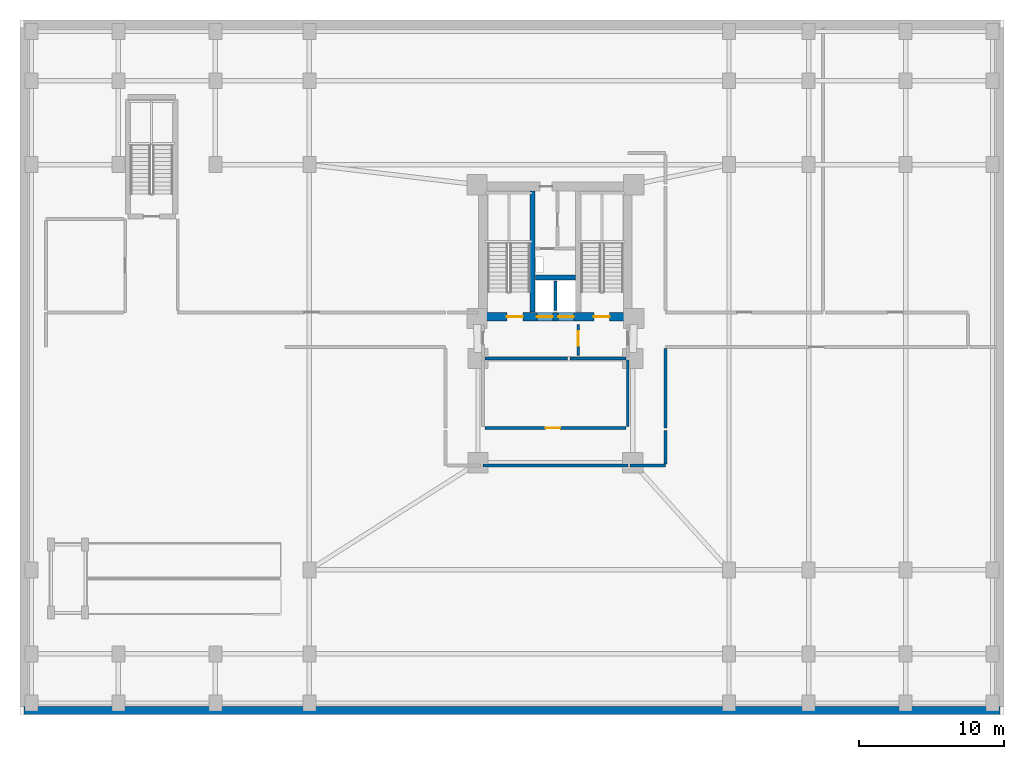
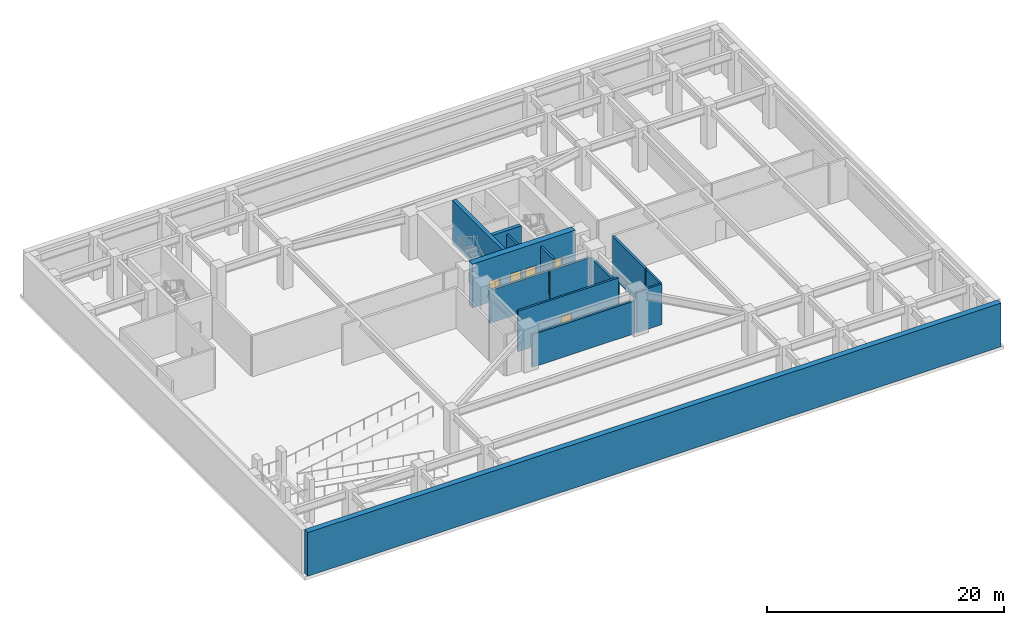
# One storey, part 4 of 8: 14 walls, 6 doors, 6 openings.
"""IFC4 building model written with IfcOpenShell, lengths in metres."""

from ifc_helpers import new_model, si_unit, direction, frame, frame_2d, origin, place, context, subcontext, project, spatial, rectangle, extrude, material, layer, layer_set, type_object, element, fill, save


model = new_model("IFC4")

# Units and contexts
model_context = context("Model", 3, precision=1e-05, world=origin(), true_north=direction((0.0, 1.0)))
body_context = subcontext(model_context, "Body", "Model", "MODEL_VIEW")
ifc_project = project(units=[si_unit("LENGTHUNIT", "METRE"), si_unit("AREAUNIT", "SQUARE_METRE"), si_unit("VOLUMEUNIT", "CUBIC_METRE"), si_unit("PLANEANGLEUNIT", "RADIAN"), si_unit("MASSUNIT", "GRAM", prefix="KILO")], contexts=[model_context])

# Site, building, storey
site_placement = place(None, origin())
site = spatial("IfcSite", under=ifc_project, at=site_placement, CompositionType="ELEMENT")
building_placement = place(site_placement, origin())
building = spatial("IfcBuilding", under=site, at=building_placement, Name="Varnakorn Sky Granary", CompositionType="ELEMENT")
storey_placement = place(building_placement, frame((0.0, 0.0, -9.0)))
storey = spatial("IfcBuildingStorey", under=building, at=storey_placement, Name="B02", CompositionType="ELEMENT", Elevation=-9.0)

# Walls
ifc_material_1 = material(Name="Concrete C50/60", Category="concrete")
ifc_layer_1 = layer(ifc_material_1, 0.35009765625, Name="Concrete C50/60")
ifc_layer_set_1 = layer_set([ifc_layer_1], Name="Concrete C50/60")
wall_type_1 = type_object("IfcWallType", Name="WT-CW-INT-350", PredefinedType="SHEAR", material=ifc_layer_set_1)
wall_1_placement = place(storey_placement, frame((1.419921875, 3.81005859375, 0.0), z_axis=(0.0, 0.0, 1.0), x_axis=(0.0, 1.0, 0.0)))
element("IfcWall", 1, at=wall_1_placement, inside=storey, type_object=wall_type_1, Name="Stair ST-1 Core Wall B02", PredefinedType="SHEAR", context=body_context, shape_type="SweptSolid", body=[
    extrude(rectangle(XDim=8.3798828125, YDim=0.35009765625, at=frame_2d((4.18994140625, 0.0))), origin(), (0.0, 0.0, 1.0), 4.491943359375),
])
wall_2_placement = place(storey_placement, frame((1.610107421875, 6.199951171875, 0.0), z_axis=(0.0, 0.0, 1.0), x_axis=(1.0, 0.0, 0.0)))
element("IfcWall", 2, at=wall_2_placement, inside=storey, type_object=wall_type_1, Name="Core Lift Shaft Cross Wall B02", PredefinedType="SHEAR", context=body_context, shape_type="SweptSolid", body=[
    extrude(rectangle(XDim=2.77978515625, YDim=0.35009765625, at=frame_2d((1.389892578125, 0.0))), origin(), (0.0, 0.0, 1.0), 4.491943359375),
])

# Wall, openings, doors
ifc_material_2 = material(Name="Concrete C60/75", Category="concrete")
ifc_layer_2 = layer(ifc_material_2, 0.60009765625, Name="Concrete C60/75")
ifc_layer_set_2 = layer_set([ifc_layer_2], Name="Concrete C60/75")
wall_type_2 = type_object("IfcWallType", Name="WT-CW-SHEAR-600", PredefinedType="SHEAR", material=ifc_layer_set_2)
wall_3_placement = place(storey_placement, frame((-2.0, 3.5, 0.0), z_axis=(0.0, 0.0, 1.0), x_axis=(1.0, 0.0, 0.0)))
wall_3 = element("IfcWall", 3, at=wall_3_placement, inside=storey, type_object=wall_type_2, Name="Core South Shear Wall B02", PredefinedType="SHEAR", context=body_context, shape_type="SweptSolid", body=[
    extrude(rectangle(XDim=10.0, YDim=0.60009765625, at=frame_2d((5.0, 0.0))), origin(), (0.0, 0.0, 1.0), 4.491943359375),
])
opening_1_placement = place(wall_3_placement, frame((1.64990234375, 0.0, 0.0)))
opening_1 = element("IfcOpeningElement", 4, at=opening_1_placement, cuts=wall_3, Name="Opening FD-90", PredefinedType="OPENING", context=body_context, shape_type="SweptSolid", body=[
    extrude(rectangle(XDim=1.10009765625, YDim=2.14990234375, at=frame_2d((0.550048828125, 1.074951171875))), frame((0.0, 0.31005859375, 0.0), z_axis=(0.0, -1.0, 0.0), x_axis=(1.0, 0.0, 0.0)), (0.0, 0.0, 1.0), 0.6201171875),
])
opening_2_placement = place(wall_3_placement, frame((7.64990234375, 0.0, 0.0)))
opening_2 = element("IfcOpeningElement", 5, at=opening_2_placement, cuts=wall_3, Name="Opening FD-90", PredefinedType="OPENING", context=body_context, shape_type="SweptSolid", body=[
    extrude(rectangle(XDim=1.10009765625, YDim=2.14990234375, at=frame_2d((0.550048828125, 1.074951171875))), frame((0.0, 0.31005859375, 0.0), z_axis=(0.0, -1.0, 0.0), x_axis=(1.0, 0.0, 0.0)), (0.0, 0.0, 1.0), 0.6201171875),
])
opening_3_placement = place(wall_3_placement, frame((3.719970703125, 0.0, 0.0)))
opening_3 = element("IfcOpeningElement", 6, at=opening_3_placement, cuts=wall_3, Name="Opening LD-01", PredefinedType="OPENING", context=body_context, shape_type="SweptSolid", body=[
    extrude(rectangle(XDim=1.10009765625, YDim=2.199951171875, at=frame_2d((0.550048828125, 1.10009765625))), frame((0.0, 0.31005859375, 0.0), z_axis=(0.0, -1.0, 0.0), x_axis=(1.0, 0.0, 0.0)), (0.0, 0.0, 1.0), 0.6201171875),
])
opening_4_placement = place(wall_3_placement, frame((5.179931640625, 0.0, 0.0)))
opening_4 = element("IfcOpeningElement", 7, at=opening_4_placement, cuts=wall_3, Name="Opening LD-01", PredefinedType="OPENING", context=body_context, shape_type="SweptSolid", body=[
    extrude(rectangle(XDim=1.10009765625, YDim=2.199951171875, at=frame_2d((0.550048828125, 1.10009765625))), frame((0.0, 0.31005859375, 0.0), z_axis=(0.0, -1.0, 0.0), x_axis=(1.0, 0.0, 0.0)), (0.0, 0.0, 1.0), 0.6201171875),
])
ifc_material_3 = material(Name="Brushed Bronze Stainless Steel", Category="steel")
door_type_1 = type_object("IfcDoorType", Name="DR-LD-1100", OperationType="DOUBLE_DOOR_SLIDING", PredefinedType="DOOR", material=ifc_material_3)
door_1_placement = place(opening_3_placement, origin())
door_1 = element("IfcDoor", 8, at=door_1_placement, inside=storey, type_object=door_type_1, Name="Firefighting Lift FFL-1 Landing Door B02", OperationType="DOUBLE_DOOR_SLIDING", OverallHeight=2.199951171875, OverallWidth=1.10009765625, PredefinedType="DOOR", context=body_context, shape_type="SweptSolid", body=[
    extrude(rectangle(XDim=1.10009765625, YDim=2.199951171875, at=frame_2d((0.550048828125, 1.10009765625))), frame((0.0, 0.02490234375, 0.0), z_axis=(0.0, -1.0, 0.0), x_axis=(1.0, 0.0, 0.0)), (0.0, 0.0, 1.0), 0.050048828125),
])
fill(opening_3, door_1)
door_2_placement = place(opening_4_placement, origin())
door_2 = element("IfcDoor", 9, at=door_2_placement, inside=storey, type_object=door_type_1, Name="Firefighting Lift FFL-2 Landing Door B02", OperationType="DOUBLE_DOOR_SLIDING", OverallHeight=2.199951171875, OverallWidth=1.10009765625, PredefinedType="DOOR", context=body_context, shape_type="SweptSolid", body=[
    extrude(rectangle(XDim=1.10009765625, YDim=2.199951171875, at=frame_2d((0.550048828125, 1.10009765625))), frame((0.0, 0.02490234375, 0.0), z_axis=(0.0, -1.0, 0.0), x_axis=(1.0, 0.0, 0.0)), (0.0, 0.0, 1.0), 0.050048828125),
])
fill(opening_4, door_2)
ifc_material_4 = material(Name="Galvanised Painted Steel Leaf", Category="steel")
door_type_2 = type_object("IfcDoorType", Name="DR-STAIR-1100", OperationType="NOTDEFINED", PredefinedType="DOOR", material=ifc_material_4)
door_3_placement = place(opening_1_placement, origin())
door_3 = element("IfcDoor", 10, at=door_3_placement, inside=storey, type_object=door_type_2, Name="Stair ST-1 Protected Fire Door B02", OperationType="SINGLE_SWING_LEFT", OverallHeight=2.14990234375, OverallWidth=1.10009765625, PredefinedType="DOOR", context=body_context, shape_type="SweptSolid", body=[
    extrude(rectangle(XDim=1.10009765625, YDim=2.14990234375, at=frame_2d((0.550048828125, 1.074951171875))), frame((0.0, 0.02490234375, 0.0), z_axis=(0.0, -1.0, 0.0), x_axis=(1.0, 0.0, 0.0)), (0.0, 0.0, 1.0), 0.050048828125),
])
fill(opening_1, door_3)
door_4_placement = place(opening_2_placement, origin())
door_4 = element("IfcDoor", 11, at=door_4_placement, inside=storey, type_object=door_type_2, Name="Stair ST-2 Protected Fire Door B02", OperationType="SINGLE_SWING_RIGHT", OverallHeight=2.14990234375, OverallWidth=1.10009765625, PredefinedType="DOOR", context=body_context, shape_type="SweptSolid", body=[
    extrude(rectangle(XDim=1.10009765625, YDim=2.14990234375, at=frame_2d((0.550048828125, 1.074951171875))), frame((0.0, 0.02490234375, 0.0), z_axis=(0.0, -1.0, 0.0), x_axis=(1.0, 0.0, 0.0)), (0.0, 0.0, 1.0), 0.050048828125),
])
fill(opening_2, door_4)

# Wall, opening, door
ifc_material_5 = material(Name="Autoclaved Aerated Concrete Blockwork", Category="masonry")
ifc_layer_3 = layer(ifc_material_5, 0.199951171875, Name="Autoclaved Aerated Concrete Blockwork")
ifc_layer_set_3 = layer_set([ifc_layer_3], Name="Autoclaved Aerated Concrete Blockwork")
wall_type_3 = type_object("IfcWallType", Name="WT-FIRE-200", PredefinedType="MOVABLE", material=ifc_layer_set_3)
wall_4_placement = place(storey_placement, frame((4.580078125, 0.830078125, 0.0), z_axis=(0.0, 0.0, 1.0), x_axis=(0.0, 1.0, 0.0)))
wall_4 = element("IfcWall", 12, at=wall_4_placement, inside=storey, type_object=wall_type_3, Name="Interior Partition Wall B02-005", PredefinedType="MOVABLE", context=body_context, shape_type="SweptSolid", body=[
    extrude(rectangle(XDim=2.139892578125, YDim=0.199951171875, at=frame_2d((1.06982421875, 0.0))), origin(), (0.0, 0.0, 1.0), 4.179931640625),
])
opening_5_placement = place(wall_4_placement, frame((0.659912109375, 0.0, 0.0)))
opening_5 = element("IfcOpeningElement", 13, at=opening_5_placement, cuts=wall_4, Name="Opening FD-60", PredefinedType="OPENING", context=body_context, shape_type="SweptSolid", body=[
    extrude(rectangle(XDim=1.0, YDim=2.10009765625, at=frame_2d((0.5, 1.050048828125))), frame((0.0, 0.10986328125, 0.0), z_axis=(0.0, -1.0, 0.0), x_axis=(1.0, 0.0, 0.0)), (0.0, 0.0, 1.0), 0.219970703125),
])
ifc_material_6 = material(Name="Acoustic Timber Fire Leaf", Category="wood")
door_type_3 = type_object("IfcDoorType", Name="DR-FD60-1000", OperationType="NOTDEFINED", PredefinedType="DOOR", material=ifc_material_6)
door_5_placement = place(opening_5_placement, origin())
door_5 = element("IfcDoor", 14, at=door_5_placement, inside=storey, type_object=door_type_3, Name="Interior Door B02-005-1", OperationType="SINGLE_SWING_LEFT", OverallHeight=2.10009765625, OverallWidth=1.0, PredefinedType="DOOR", context=body_context, shape_type="SweptSolid", body=[
    extrude(rectangle(XDim=1.0, YDim=2.10009765625, at=frame_2d((0.5, 1.050048828125))), frame((0.0, 0.02490234375, 0.0), z_axis=(0.0, -1.0, 0.0), x_axis=(1.0, 0.0, 0.0)), (0.0, 0.0, 1.0), 0.050048828125),
])
fill(opening_5, door_5)

wall_5_placement = place(storey_placement, frame((-1.8798828125, -4.199951171875, 0.0), z_axis=(0.0, 0.0, 1.0), x_axis=(1.0, 0.0, 0.0)))
wall_5 = element("IfcWall", 15, at=wall_5_placement, inside=storey, type_object=wall_type_3, Name="Interior Partition Wall B02-008", PredefinedType="MOVABLE", context=body_context, shape_type="SweptSolid", body=[
    extrude(rectangle(XDim=9.759765625, YDim=0.199951171875, at=frame_2d((4.8798828125, 0.0))), origin(), (0.0, 0.0, 1.0), 4.179931640625),
])
opening_6_placement = place(wall_5_placement, frame((4.199951171875, 0.0, 0.0)))
opening_6 = element("IfcOpeningElement", 16, at=opening_6_placement, cuts=wall_5, Name="Opening FD-60", PredefinedType="OPENING", context=body_context, shape_type="SweptSolid", body=[
    extrude(rectangle(XDim=1.0, YDim=2.10009765625, at=frame_2d((0.5, 1.050048828125))), frame((0.0, 0.10986328125, 0.0), z_axis=(0.0, -1.0, 0.0), x_axis=(1.0, 0.0, 0.0)), (0.0, 0.0, 1.0), 0.219970703125),
])
door_6_placement = place(opening_6_placement, origin())
door_6 = element("IfcDoor", 17, at=door_6_placement, inside=storey, type_object=door_type_3, Name="Interior Door B02-008-1", OperationType="SINGLE_SWING_RIGHT", OverallHeight=2.10009765625, OverallWidth=1.0, PredefinedType="DOOR", context=body_context, shape_type="SweptSolid", body=[
    extrude(rectangle(XDim=1.0, YDim=2.10009765625, at=frame_2d((0.5, 1.050048828125))), frame((0.0, 0.02490234375, 0.0), z_axis=(0.0, -1.0, 0.0), x_axis=(1.0, 0.0, 0.0)), (0.0, 0.0, 1.0), 0.050048828125),
])
fill(opening_6, door_6)

# Walls
wall_6_placement = place(storey_placement, frame((-1.8798828125, 0.60009765625, 0.0), z_axis=(0.0, 0.0, 1.0), x_axis=(1.0, 0.0, 0.0)))
element("IfcWall", 18, at=wall_6_placement, inside=storey, type_object=wall_type_3, Name="Interior Partition Wall B02-014", PredefinedType="MOVABLE", context=body_context, shape_type="SweptSolid", body=[
    extrude(rectangle(XDim=5.719970703125, YDim=0.199951171875, at=frame_2d((2.85986328125, 0.0))), origin(), (0.0, 0.0, 1.0), 3.362060546875),
])
wall_7_placement = place(storey_placement, frame((8.0, -4.090087890625, 0.0), z_axis=(0.0, 0.0, 1.0), x_axis=(0.0, 1.0, 0.0)))
element("IfcWall", 19, at=wall_7_placement, inside=storey, type_object=wall_type_3, Name="Interior Partition Wall B02-016", PredefinedType="MOVABLE", context=body_context, shape_type="SweptSolid", body=[
    extrude(rectangle(XDim=4.590087890625, YDim=0.199951171875, at=frame_2d((2.294921875, 0.0))), origin(), (0.0, 0.0, 1.0), 3.362060546875),
])
wall_8_placement = place(storey_placement, frame((-2.0, -6.800048828125, 0.0), z_axis=(0.0, 0.0, 1.0), x_axis=(1.0, 0.0, 0.0)))
element("IfcWall", 20, at=wall_8_placement, inside=storey, type_object=wall_type_3, Name="Interior Partition Wall B02-018", PredefinedType="MOVABLE", context=body_context, shape_type="SweptSolid", body=[
    extrude(rectangle(XDim=10.0, YDim=0.199951171875, at=frame_2d((5.0, 0.0))), origin(), (0.0, 0.0, 1.0), 3.362060546875),
])
wall_9_placement = place(storey_placement, frame((10.60009765625, -4.199951171875, 0.0), z_axis=(0.0, 0.0, 1.0), x_axis=(0.0, 1.0, 0.0)))
element("IfcWall", 21, at=wall_9_placement, inside=storey, type_object=wall_type_3, Name="Interior Partition Wall B02-020", PredefinedType="MOVABLE", context=body_context, shape_type="SweptSolid", body=[
    extrude(rectangle(XDim=5.489990234375, YDim=0.199951171875, at=frame_2d((2.7451171875, 0.0))), origin(), (0.0, 0.0, 1.0), 4.179931640625),
])
wall_10_placement = place(storey_placement, frame((8.159912109375, -6.800048828125, 0.0), z_axis=(0.0, 0.0, 1.0), x_axis=(1.0, 0.0, 0.0)))
element("IfcWall", 22, at=wall_10_placement, inside=storey, type_object=wall_type_3, Name="Interior Partition Wall B02-023", PredefinedType="MOVABLE", context=body_context, shape_type="SweptSolid", body=[
    extrude(rectangle(XDim=2.440185546875, YDim=0.199951171875, at=frame_2d((1.22021484375, 0.0))), origin(), (0.0, 0.0, 1.0), 4.179931640625),
])
wall_11_placement = place(storey_placement, frame((10.60009765625, -6.68994140625, 0.0), z_axis=(0.0, 0.0, 1.0), x_axis=(0.0, 1.0, 0.0)))
element("IfcWall", 23, at=wall_11_placement, inside=storey, type_object=wall_type_3, Name="Interior Partition Wall B02-024", PredefinedType="MOVABLE", context=body_context, shape_type="SweptSolid", body=[
    extrude(rectangle(XDim=2.329833984375, YDim=0.199951171875, at=frame_2d((1.1650390625, 0.0))), origin(), (0.0, 0.0, 1.0), 4.179931640625),
])
ifc_layer_4 = layer(ifc_material_1, 0.550048828125, Name="Concrete C50/60")
ifc_layer_set_4 = layer_set([ifc_layer_4], Name="Concrete C50/60")
wall_type_4 = type_object("IfcWallType", Name="WT-RW-BSMT-550", PredefinedType="SOLIDWALL", material=ifc_layer_set_4)
wall_12_placement = place(storey_placement, frame((-33.72509765625, -23.72509765625, 0.0), z_axis=(0.0, 0.0, 1.0), x_axis=(1.0, 0.0, 0.0)))
element("IfcWall", 24, at=wall_12_placement, inside=storey, type_object=wall_type_4, Name="Basement Perimeter Retaining Wall B02-S", PredefinedType="SOLIDWALL", context=body_context, shape_type="SweptSolid", body=[
    extrude(rectangle(XDim=67.4501953125, YDim=0.550048828125, at=frame_2d((33.72509765625, 0.0))), origin(), (0.0, 0.0, 1.0), 4.491943359375),
])
ifc_layer_5 = layer(ifc_material_5, 0.199951171875, Name="Autoclaved Aerated Concrete Blockwork")
ifc_layer_set_5 = layer_set([ifc_layer_5], Name="Autoclaved Aerated Concrete Blockwork")
wall_type_5 = type_object("IfcWallType", Name="WT-SHAFT-200", PredefinedType="SOLIDWALL", material=ifc_layer_set_5)
wall_13_placement = place(storey_placement, frame((3.0, 3.919921875, 0.0), z_axis=(0.0, 0.0, 1.0), x_axis=(0.0, 1.0, 0.0)))
element("IfcWall", 25, at=wall_13_placement, inside=storey, type_object=wall_type_5, Name="Interior Partition Wall B02-001", PredefinedType="SOLIDWALL", context=body_context, shape_type="SweptSolid", body=[
    extrude(rectangle(XDim=2.030029296875, YDim=0.199951171875, at=frame_2d((1.01513671875, 0.0))), origin(), (0.0, 0.0, 1.0), 4.179931640625),
])
wall_14_placement = place(storey_placement, frame((4.0, 0.60009765625, 0.0), z_axis=(0.0, 0.0, 1.0), x_axis=(1.0, 0.0, 0.0)))
element("IfcWall", 26, at=wall_14_placement, inside=storey, type_object=wall_type_5, Name="Interior Partition Wall B02-002", PredefinedType="SOLIDWALL", context=body_context, shape_type="SweptSolid", body=[
    extrude(rectangle(XDim=3.8798828125, YDim=0.199951171875, at=frame_2d((1.93994140625, 0.0))), origin(), (0.0, 0.0, 1.0), 3.362060546875),
])

save(model, "model.ifc")
